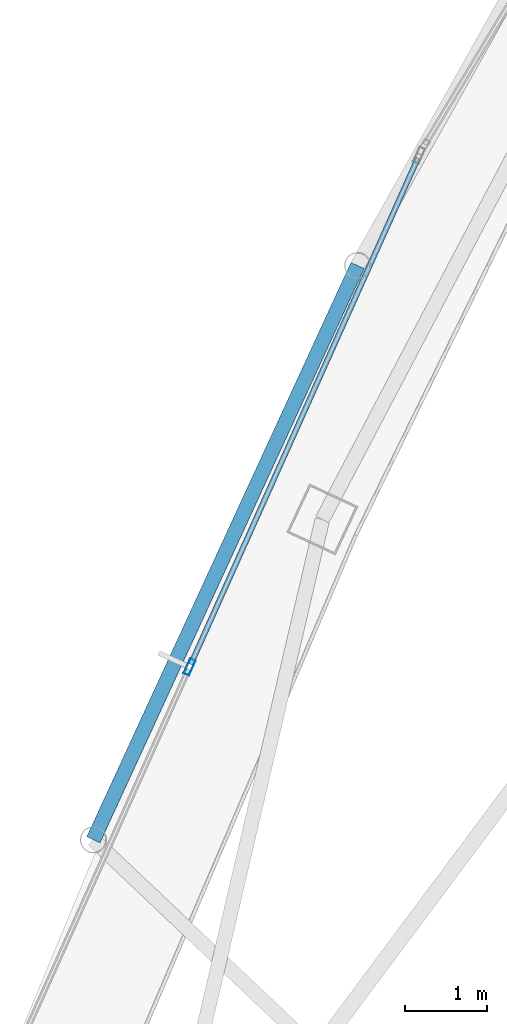
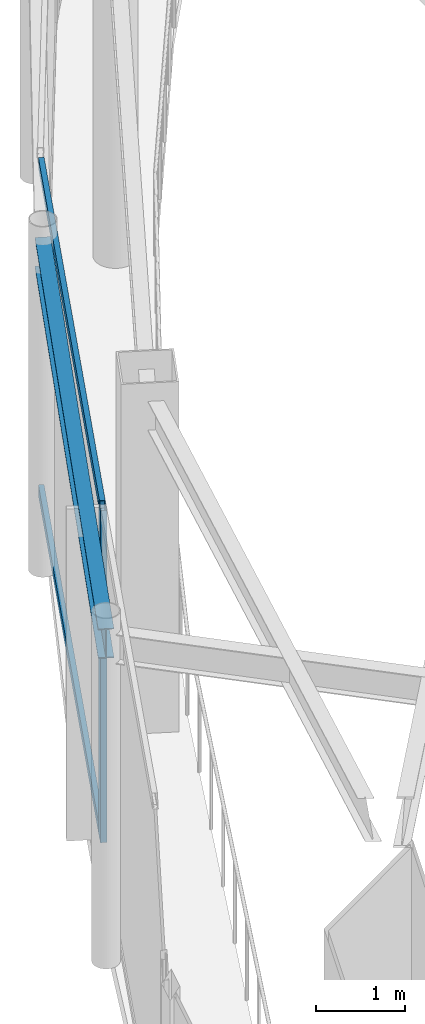
# One storey, part 4 of 19: 3 members, 1 beam, 1 element without a shape of its own.
"""IFC4 building model written with IfcOpenShell, lengths in metres."""

import ifcopenshell
import ifcopenshell.guid

model = None  # the IFC model being written
_history = None  # IfcOwnerHistory: only IFC2X3 demands one
_inside = {}  # id of a spatial element -> (the spatial element, [elements in it])
_under = {}  # id of a project, library or spatial element -> (it, [spatial elements below it])
_declared = {}  # id of a project -> (the project, [libraries it declares])
_typed = {}  # id of a type object -> (the type object, [elements of that type])
_made_of = {}  # id of a material, layer set ... -> (it, [elements and type objects made of it])


def new_model(schema):
    """Start an empty IFC model of exactly this schema.

    Asked for "IFC4X3", IfcOpenShell would pick the latest addendum, in which some entities
    have other attributes; the version numbers below select the first issue.
    IFC2X3 requires an IfcOwnerHistory on every rooted entity: one is made here for all.
    """
    global model, _history
    if schema == "IFC4X3":
        model = ifcopenshell.file(schema_version=(4, 3, 0, 0))
    else:
        model = ifcopenshell.file(schema=schema)
    _inside.clear()
    _under.clear()
    _declared.clear()
    _typed.clear()
    _made_of.clear()
    _history = None
    if model.schema == "IFC2X3":
        org = make("IfcOrganization", Name="unknown")
        user = make(
            "IfcPersonAndOrganization",
            ThePerson=make("IfcPerson", FamilyName="unknown"),
            TheOrganization=org,
        )
        app = make(
            "IfcApplication",
            ApplicationDeveloper=org,
            Version="unknown",
            ApplicationFullName="unknown",
            ApplicationIdentifier="unknown",
        )
        _history = make(
            "IfcOwnerHistory",
            OwningUser=user,
            OwningApplication=app,
            ChangeAction="ADDED",
            CreationDate=0,
        )
    return model


def make(cls, **values):
    """One entity of the class cls with the attributes given. An attribute that is None is left unset."""
    return model.create_entity(
        cls, **{name: value for name, value in values.items() if value is not None}
    )


def rooted(cls, **values):
    """An entity with a GlobalId (a new one), such as an element, a storey or a relation."""
    return make(cls, GlobalId=ifcopenshell.guid.new(), OwnerHistory=_history, **values)


def si_unit(unit_type, name, prefix=None):
    """IfcSIUnit, for example si_unit("LENGTHUNIT", "METRE", prefix="MILLI")."""
    return make("IfcSIUnit", UnitType=unit_type, Prefix=prefix, Name=name)


def assignment(units):
    """IfcUnitAssignment: the units of a project."""
    return None if units is None else make("IfcUnitAssignment", Units=units)


def point(xyz):
    """IfcCartesianPoint."""
    return None if xyz is None else make("IfcCartesianPoint", Coordinates=xyz)


def direction(xyz):
    """IfcDirection."""
    return None if xyz is None else make("IfcDirection", DirectionRatios=xyz)


def frame(location, z_axis=None, x_axis=None):
    """IfcAxis2Placement3D, a coordinate frame: its origin and axes. An axis left out is left unset."""
    return make(
        "IfcAxis2Placement3D",
        Location=point(location),
        Axis=direction(z_axis),
        RefDirection=direction(x_axis),
    )


def frame_2d(location, x_axis=None):
    """IfcAxis2Placement2D, a coordinate frame in the plane: its origin and x axis."""
    return make(
        "IfcAxis2Placement2D", Location=point(location), RefDirection=direction(x_axis)
    )


def origin():
    """The frame at (0, 0, 0) with its axes left unset."""
    return frame((0.0, 0.0, 0.0))


def origin_2d():
    """The frame at (0, 0) in the plane with its x axis left unset."""
    return frame_2d((0.0, 0.0))


def place(relative_to, where):
    """IfcLocalPlacement: puts the frame where relative to a parent placement (None: the world)."""
    return make(
        "IfcLocalPlacement", PlacementRelTo=relative_to, RelativePlacement=where
    )


def context(
    kind, dimensions, precision=None, world=None, true_north=None, identifier=None
):
    """IfcGeometricRepresentationContext, for example the 3D "Model" context."""
    return make(
        "IfcGeometricRepresentationContext",
        ContextIdentifier=identifier,
        ContextType=kind,
        CoordinateSpaceDimension=dimensions,
        Precision=precision,
        WorldCoordinateSystem=world,
        TrueNorth=true_north,
    )


def subcontext(parent, identifier, kind, view, scale=None):
    """IfcGeometricRepresentationSubContext, for example "Body" below "Model"."""
    return make(
        "IfcGeometricRepresentationSubContext",
        ContextIdentifier=identifier,
        ContextType=kind,
        ParentContext=parent,
        TargetScale=scale,
        TargetView=view,
    )


def project(units=None, contexts=None):
    """IfcProject with its units and contexts."""
    return rooted(
        "IfcProject",
        Name="project",
        RepresentationContexts=contexts,
        UnitsInContext=assignment(units),
    )


def spatial(cls, under=None, at=None, **own):
    """A site, building, storey or space (cls), placed at a placement, below another one or the project."""
    s = rooted(cls, ObjectPlacement=at, **own)
    if under is not None:
        _under.setdefault(under.id(), (under, []))[1].append(s)
    return s


def profile(cls, at=None, kind="AREA", **sizes):
    """A parametric profile (cls). Its sizes go by their IFC names, for example OverallWidth=200.0."""
    return make(cls, ProfileType=kind, Position=at, **sizes)


def hollow_rectangle(**sizes):
    """IfcRectangleHollowProfileDef."""
    return profile("IfcRectangleHollowProfileDef", **sizes)


def i_section(**sizes):
    """IfcIShapeProfileDef."""
    return profile("IfcIShapeProfileDef", **sizes)


def extrude(swept, where, along, depth):
    """IfcExtrudedAreaSolid: the profile swept, set in the frame where, extruded along a direction by depth."""
    return make(
        "IfcExtrudedAreaSolid",
        SweptArea=swept,
        Position=where,
        ExtrudedDirection=direction(along),
        Depth=depth,
    )


def shape(context_of_items, identifier, shape_type, items):
    """IfcShapeRepresentation: the items that make up one representation, for example the "Body"."""
    return make(
        "IfcShapeRepresentation",
        ContextOfItems=context_of_items,
        RepresentationIdentifier=identifier,
        RepresentationType=shape_type,
        Items=items,
    )


def material(Name=None, Category=None):
    """IfcMaterial."""
    return make("IfcMaterial", Name=Name, Category=Category)


def layer(
    of_material, thickness, ventilated=None, Name=None, Category=None, Priority=None
):
    """IfcMaterialLayer: one layer of a wall or slab, of a material (None: an air gap)."""
    return make(
        "IfcMaterialLayer",
        Material=of_material,
        LayerThickness=thickness,
        IsVentilated=ventilated,
        Name=Name,
        Category=Category,
        Priority=Priority,
    )


def layer_set(layers, Name=None):
    """IfcMaterialLayerSet."""
    return make("IfcMaterialLayerSet", MaterialLayers=layers, LayerSetName=Name)


def material_profile(
    of_material, cross_section, Name=None, Category=None, Priority=None
):
    """IfcMaterialProfile: a cross section and its material."""
    return make(
        "IfcMaterialProfile",
        Name=Name,
        Material=of_material,
        Profile=cross_section,
        Priority=Priority,
        Category=Category,
    )


def profile_set(profiles, Name=None, composite=None):
    """IfcMaterialProfileSet."""
    return make(
        "IfcMaterialProfileSet",
        Name=Name,
        MaterialProfiles=profiles,
        CompositeProfile=composite,
    )


def made_of(thing, what):
    """Note that an element or type object is made of a material, layer set ...; save() writes the relation."""
    if what is not None:
        _made_of.setdefault(what.id(), (what, []))[1].append(thing)
    return thing


def type_object(cls, material=None, **own):
    """A type object (cls), such as IfcWallType, which elements share."""
    return made_of(rooted(cls, **own), material)


def element(
    cls,
    number,
    at=None,
    inside=None,
    cuts=None,
    type_object=None,
    material=None,
    context=None,
    identifier="Body",
    shape_type=None,
    held_by="IfcProductDefinitionShape",
    body=None,
    shapes=None,
    **own,
):
    """One element of the class cls, such as IfcWall. Its Tag is "e" and its number.

    at: its placement. inside: the storey or other place that contains it. cuts: it is an
    opening in that element (IfcRelVoidsElement). A single representation is given by context,
    identifier, shape_type and body (its items); several are given by shapes. held_by: the class
    of the entity that holds the representations. save() writes the other relations.
    """
    e = rooted(cls, Tag="e%d" % number, ObjectPlacement=at, **own)
    if body is not None:
        shapes = [shape(context, identifier, shape_type, body)]
    if shapes is not None:
        e.Representation = make(held_by, Representations=shapes)
    if inside is not None:
        _inside.setdefault(inside.id(), (inside, []))[1].append(e)
    if cuts is not None:
        rooted(
            "IfcRelVoidsElement", RelatingBuildingElement=cuts, RelatedOpeningElement=e
        )
    if type_object is not None:
        _typed.setdefault(type_object.id(), (type_object, []))[1].append(e)
    return made_of(e, material)


def aggregate(whole, parts):
    """IfcRelAggregates: a whole, such as a stair, and the parts it consists of."""
    return rooted("IfcRelAggregates", RelatingObject=whole, RelatedObjects=parts)


def save(model, path):
    """Write the relations noted so far, then the file.

    IfcRelAggregates (storeys below a building ...), IfcRelContainedInSpatialStructure (elements
    in a storey), IfcRelDefinesByType, IfcRelAssociatesMaterial and IfcRelDeclares: one each for
    every whole, place, type object, material and project.
    """
    for whole, parts in _under.values():
        aggregate(whole, parts)
    for where, things in _inside.values():
        rooted(
            "IfcRelContainedInSpatialStructure",
            RelatedElements=things,
            RelatingStructure=where,
        )
    for kind, things in _typed.values():
        rooted("IfcRelDefinesByType", RelatedObjects=things, RelatingType=kind)
    for what, things in _made_of.values():
        rooted("IfcRelAssociatesMaterial", RelatedObjects=things, RelatingMaterial=what)
    for by, libraries in _declared.values():
        rooted("IfcRelDeclares", RelatingContext=by, RelatedDefinitions=libraries)
    model.write(path)


model = new_model("IFC4")

# Units and contexts
model_context = context("Model", 3, precision=1e-05, world=origin(), true_north=direction((0.0, 1.0)))
body_context = subcontext(model_context, "Body", "Model", "MODEL_VIEW")
ifc_project = project(units=[si_unit("LENGTHUNIT", "METRE"), si_unit("AREAUNIT", "SQUARE_METRE"), si_unit("VOLUMEUNIT", "CUBIC_METRE"), si_unit("PLANEANGLEUNIT", "RADIAN"), si_unit("MASSUNIT", "GRAM", prefix="KILO")], contexts=[model_context])

# Site, building, storey
site_placement = place(None, origin())
site = spatial("IfcSite", under=ifc_project, at=site_placement, CompositionType="ELEMENT")
building_placement = place(site_placement, origin())
building = spatial("IfcBuilding", under=site, at=building_placement, Name="Orvanel Arch Residences", CompositionType="ELEMENT")
storey_placement = place(building_placement, frame((0.0, 0.0, 295.699951171875)))
storey = spatial("IfcBuildingStorey", under=building, at=storey_placement, Name="L83", CompositionType="ELEMENT", Elevation=295.699951171875)

# Curtain wall, member
ifc_material_1 = material(Name="Bronze-anodised aluminium AA6063-T6", Category="aluminium")
ifc_layer = layer(ifc_material_1, 0.2099609375)
ifc_layer_set = layer_set([ifc_layer], Name="Bronze-anodised aluminium AA6063-T6")
curtain_wall_type = type_object("IfcCurtainWallType", Name="CW7-TOP-SYS", PredefinedType="NOTDEFINED", material=ifc_layer_set)
curtain_wall_placement = place(storey_placement, origin())
curtain_wall = element("IfcCurtainWall", 1, at=curtain_wall_placement, inside=storey, type_object=curtain_wall_type, Name="L83 CW7-TOP-SYS Unitised Curtain Wall", PredefinedType="NOTDEFINED")
ifc_material_profile_1 = material_profile(ifc_material_1, hollow_rectangle(XDim=0.074951171875, YDim=0.199951171875, WallThickness=0.0048828125, at=origin_2d()), Name="ALU200x75x5")
ifc_profile_set_1 = profile_set([ifc_material_profile_1], Name="Bronze-anodised aluminium AA6063-T6")
member_type_1 = type_object("IfcMemberType", Name="MUL-200x75", PredefinedType="MULLION", material=ifc_profile_set_1)
member_1_placement = place(storey_placement, frame((14.75, 17.845947265625, 0.0), z_axis=(0.0, 0.0, 1.0), x_axis=(0.912376147447, -0.40935286193, 0.0)))
member_1 = element("IfcMember", 2, at=member_1_placement, type_object=member_type_1, Name="CW-S7 mullion 2", PredefinedType="MULLION", context=body_context, shape_type="SweptSolid", body=[
    extrude(hollow_rectangle(XDim=0.074951171875, YDim=0.199951171875, WallThickness=0.0048828125, at=origin_2d()), origin(), (0.0, 0.0, 1.0), 4.550048828125),
])

# Beam
ifc_material_2 = material(Name="Structural steel AS/NZS 3679.1 Grade 300 (300 MPa)", Category="steel")
ifc_material_profile_2 = material_profile(ifc_material_2, i_section(OverallWidth=0.177978515625, OverallDepth=0.406005859375, WebThickness=0.0078125, FlangeThickness=0.0126953125, at=origin_2d()), Name="410UB59.7")
ifc_profile_set_2 = profile_set([ifc_material_profile_2], Name="Structural steel AS/NZS 3679.1 Grade 300 (300 MPa)")
beam_type = type_object("IfcBeamType", Name="OB-410UB-EXT", PredefinedType="SPANDREL", material=ifc_profile_set_2)
beam_placement = place(storey_placement, frame((16.794921875, 22.73388671875, 4.34716796875), z_axis=(-0.417937545069, -0.908475761054, 0.0), x_axis=(0.908475761054, -0.417937545069, 0.0)))
element("IfcBeam", 3, at=beam_placement, inside=storey, type_object=beam_type, Name="L83 Outer Perimeter Floor Ring Beam 03", PredefinedType="SPANDREL", context=body_context, shape_type="SweptSolid", body=[
    extrude(i_section(OverallWidth=0.177978515625, OverallDepth=0.406005859375, WebThickness=0.0078125, FlangeThickness=0.0126953125, at=origin_2d()), origin(), (0.0, 0.0, 1.0), 7.697509765625),
])

# Member
ifc_material_profile_3 = material_profile(ifc_material_1, hollow_rectangle(XDim=0.06494140625, YDim=0.14990234375, WallThickness=0.00390625, at=origin_2d()), Name="ALU150x65x4")
ifc_profile_set_3 = profile_set([ifc_material_profile_3], Name="Bronze-anodised aluminium AA6063-T6")
member_type_2 = type_object("IfcMemberType", Name="TRN-150x65", PredefinedType="USERDEFINED", material=ifc_profile_set_3)
member_2_placement = place(storey_placement, frame((17.529296875, 24.04052734375, 0.032470703125), z_axis=(-0.409346580659, -0.912378965618, 0.0), x_axis=(0.912378965618, -0.409346580659, 0.0)))
member_2 = element("IfcMember", 4, at=member_2_placement, type_object=member_type_2, Name="CW-S7 transom 1.1", ObjectType="TRANSOM", PredefinedType="USERDEFINED", context=body_context, shape_type="SweptSolid", body=[
    extrude(hollow_rectangle(XDim=0.06494140625, YDim=0.14990234375, WallThickness=0.00390625, at=origin_2d()), origin(), (0.0, 0.0, 1.0), 6.751953125),
])

member_3_placement = place(storey_placement, frame((17.529296875, 24.04052734375, 4.517578125), z_axis=(-0.409346580659, -0.912378965618, 0.0), x_axis=(0.912378965618, -0.409346580659, 0.0)))
member_3 = element("IfcMember", 5, at=member_3_placement, type_object=member_type_2, Name="CW-S7 transom 1.2", ObjectType="TRANSOM", PredefinedType="USERDEFINED", context=body_context, shape_type="SweptSolid", body=[
    extrude(hollow_rectangle(XDim=0.06494140625, YDim=0.14990234375, WallThickness=0.00390625, at=origin_2d()), origin(), (0.0, 0.0, 1.0), 6.751953125),
])

aggregate(curtain_wall, [member_1, member_2, member_3])

save(model, "model.ifc")
